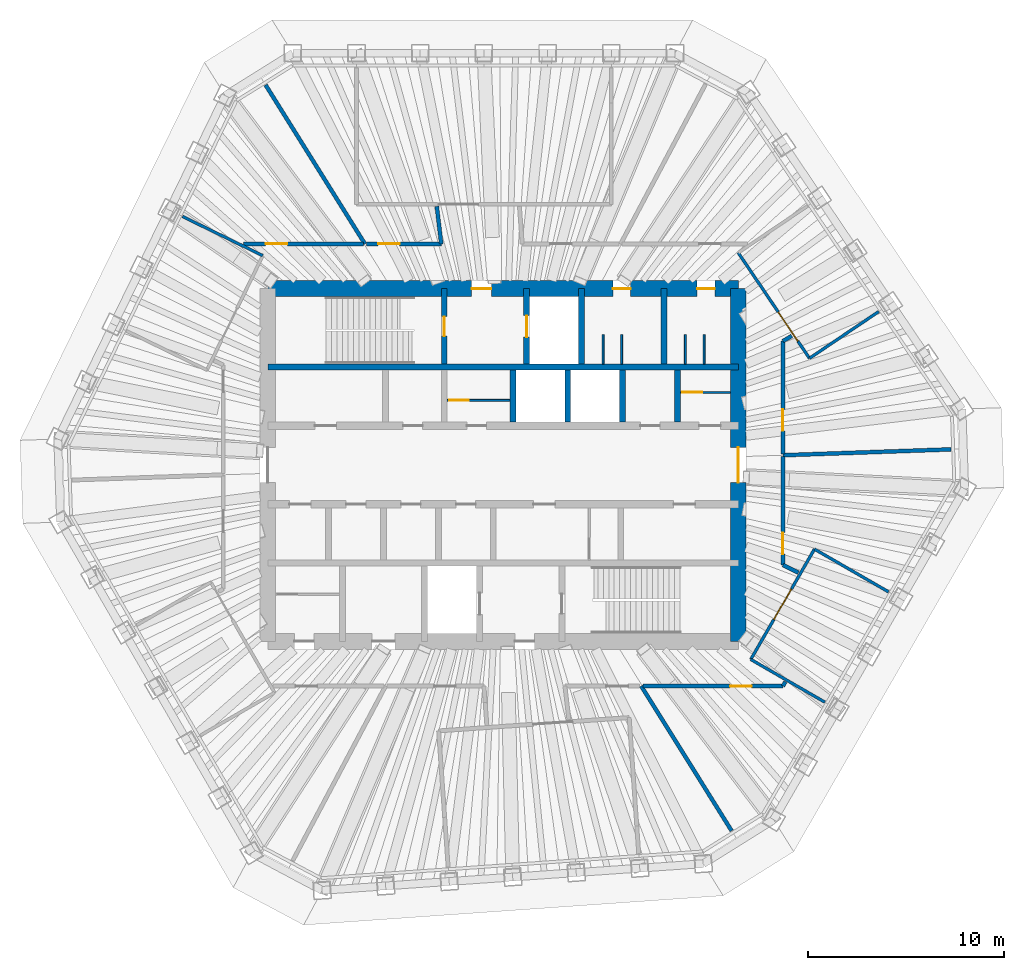
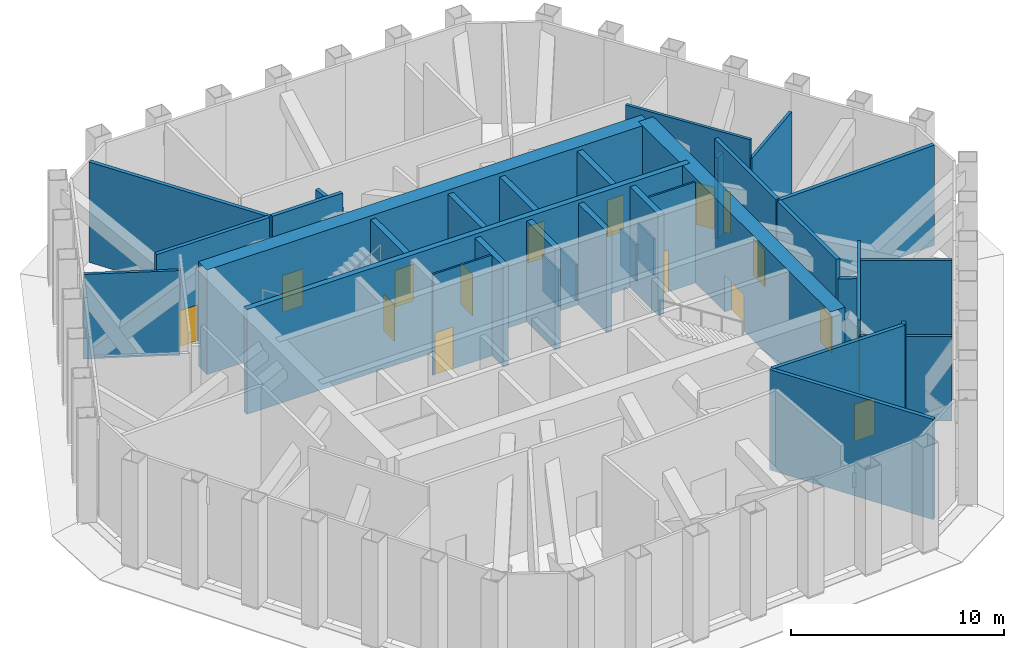
# One storey, part 7 of 10: 35 walls, 15 doors, 15 openings.
"""IFC4 building model written with IfcOpenShell, lengths in metres."""

import ifcopenshell
import ifcopenshell.guid

model = None  # the IFC model being written
_history = None  # IfcOwnerHistory: only IFC2X3 demands one
_inside = {}  # id of a spatial element -> (the spatial element, [elements in it])
_under = {}  # id of a project, library or spatial element -> (it, [spatial elements below it])
_declared = {}  # id of a project -> (the project, [libraries it declares])
_typed = {}  # id of a type object -> (the type object, [elements of that type])
_made_of = {}  # id of a material, layer set ... -> (it, [elements and type objects made of it])


def new_model(schema):
    """Start an empty IFC model of exactly this schema.

    Asked for "IFC4X3", IfcOpenShell would pick the latest addendum, in which some entities
    have other attributes; the version numbers below select the first issue.
    IFC2X3 requires an IfcOwnerHistory on every rooted entity: one is made here for all.
    """
    global model, _history
    if schema == "IFC4X3":
        model = ifcopenshell.file(schema_version=(4, 3, 0, 0))
    else:
        model = ifcopenshell.file(schema=schema)
    _inside.clear()
    _under.clear()
    _declared.clear()
    _typed.clear()
    _made_of.clear()
    _history = None
    if model.schema == "IFC2X3":
        org = make("IfcOrganization", Name="unknown")
        user = make(
            "IfcPersonAndOrganization",
            ThePerson=make("IfcPerson", FamilyName="unknown"),
            TheOrganization=org,
        )
        app = make(
            "IfcApplication",
            ApplicationDeveloper=org,
            Version="unknown",
            ApplicationFullName="unknown",
            ApplicationIdentifier="unknown",
        )
        _history = make(
            "IfcOwnerHistory",
            OwningUser=user,
            OwningApplication=app,
            ChangeAction="ADDED",
            CreationDate=0,
        )
    return model


def make(cls, **values):
    """One entity of the class cls with the attributes given. An attribute that is None is left unset."""
    return model.create_entity(
        cls, **{name: value for name, value in values.items() if value is not None}
    )


def rooted(cls, **values):
    """An entity with a GlobalId (a new one), such as an element, a storey or a relation."""
    return make(cls, GlobalId=ifcopenshell.guid.new(), OwnerHistory=_history, **values)


def si_unit(unit_type, name, prefix=None):
    """IfcSIUnit, for example si_unit("LENGTHUNIT", "METRE", prefix="MILLI")."""
    return make("IfcSIUnit", UnitType=unit_type, Prefix=prefix, Name=name)


def assignment(units):
    """IfcUnitAssignment: the units of a project."""
    return None if units is None else make("IfcUnitAssignment", Units=units)


def point(xyz):
    """IfcCartesianPoint."""
    return None if xyz is None else make("IfcCartesianPoint", Coordinates=xyz)


def direction(xyz):
    """IfcDirection."""
    return None if xyz is None else make("IfcDirection", DirectionRatios=xyz)


def frame(location, z_axis=None, x_axis=None):
    """IfcAxis2Placement3D, a coordinate frame: its origin and axes. An axis left out is left unset."""
    return make(
        "IfcAxis2Placement3D",
        Location=point(location),
        Axis=direction(z_axis),
        RefDirection=direction(x_axis),
    )


def frame_2d(location, x_axis=None):
    """IfcAxis2Placement2D, a coordinate frame in the plane: its origin and x axis."""
    return make(
        "IfcAxis2Placement2D", Location=point(location), RefDirection=direction(x_axis)
    )


def origin():
    """The frame at (0, 0, 0) with its axes left unset."""
    return frame((0.0, 0.0, 0.0))


def place(relative_to, where):
    """IfcLocalPlacement: puts the frame where relative to a parent placement (None: the world)."""
    return make(
        "IfcLocalPlacement", PlacementRelTo=relative_to, RelativePlacement=where
    )


def context(
    kind, dimensions, precision=None, world=None, true_north=None, identifier=None
):
    """IfcGeometricRepresentationContext, for example the 3D "Model" context."""
    return make(
        "IfcGeometricRepresentationContext",
        ContextIdentifier=identifier,
        ContextType=kind,
        CoordinateSpaceDimension=dimensions,
        Precision=precision,
        WorldCoordinateSystem=world,
        TrueNorth=true_north,
    )


def subcontext(parent, identifier, kind, view, scale=None):
    """IfcGeometricRepresentationSubContext, for example "Body" below "Model"."""
    return make(
        "IfcGeometricRepresentationSubContext",
        ContextIdentifier=identifier,
        ContextType=kind,
        ParentContext=parent,
        TargetScale=scale,
        TargetView=view,
    )


def project(units=None, contexts=None):
    """IfcProject with its units and contexts."""
    return rooted(
        "IfcProject",
        Name="project",
        RepresentationContexts=contexts,
        UnitsInContext=assignment(units),
    )


def spatial(cls, under=None, at=None, **own):
    """A site, building, storey or space (cls), placed at a placement, below another one or the project."""
    s = rooted(cls, ObjectPlacement=at, **own)
    if under is not None:
        _under.setdefault(under.id(), (under, []))[1].append(s)
    return s


def profile(cls, at=None, kind="AREA", **sizes):
    """A parametric profile (cls). Its sizes go by their IFC names, for example OverallWidth=200.0."""
    return make(cls, ProfileType=kind, Position=at, **sizes)


def rectangle(**sizes):
    """IfcRectangleProfileDef."""
    return profile("IfcRectangleProfileDef", **sizes)


def extrude(swept, where, along, depth):
    """IfcExtrudedAreaSolid: the profile swept, set in the frame where, extruded along a direction by depth."""
    return make(
        "IfcExtrudedAreaSolid",
        SweptArea=swept,
        Position=where,
        ExtrudedDirection=direction(along),
        Depth=depth,
    )


def shape(context_of_items, identifier, shape_type, items):
    """IfcShapeRepresentation: the items that make up one representation, for example the "Body"."""
    return make(
        "IfcShapeRepresentation",
        ContextOfItems=context_of_items,
        RepresentationIdentifier=identifier,
        RepresentationType=shape_type,
        Items=items,
    )


def material(Name=None, Category=None):
    """IfcMaterial."""
    return make("IfcMaterial", Name=Name, Category=Category)


def layer(
    of_material, thickness, ventilated=None, Name=None, Category=None, Priority=None
):
    """IfcMaterialLayer: one layer of a wall or slab, of a material (None: an air gap)."""
    return make(
        "IfcMaterialLayer",
        Material=of_material,
        LayerThickness=thickness,
        IsVentilated=ventilated,
        Name=Name,
        Category=Category,
        Priority=Priority,
    )


def layer_set(layers, Name=None):
    """IfcMaterialLayerSet."""
    return make("IfcMaterialLayerSet", MaterialLayers=layers, LayerSetName=Name)


def made_of(thing, what):
    """Note that an element or type object is made of a material, layer set ...; save() writes the relation."""
    if what is not None:
        _made_of.setdefault(what.id(), (what, []))[1].append(thing)
    return thing


def type_object(cls, material=None, **own):
    """A type object (cls), such as IfcWallType, which elements share."""
    return made_of(rooted(cls, **own), material)


def element(
    cls,
    number,
    at=None,
    inside=None,
    cuts=None,
    type_object=None,
    material=None,
    context=None,
    identifier="Body",
    shape_type=None,
    held_by="IfcProductDefinitionShape",
    body=None,
    shapes=None,
    **own,
):
    """One element of the class cls, such as IfcWall. Its Tag is "e" and its number.

    at: its placement. inside: the storey or other place that contains it. cuts: it is an
    opening in that element (IfcRelVoidsElement). A single representation is given by context,
    identifier, shape_type and body (its items); several are given by shapes. held_by: the class
    of the entity that holds the representations. save() writes the other relations.
    """
    e = rooted(cls, Tag="e%d" % number, ObjectPlacement=at, **own)
    if body is not None:
        shapes = [shape(context, identifier, shape_type, body)]
    if shapes is not None:
        e.Representation = make(held_by, Representations=shapes)
    if inside is not None:
        _inside.setdefault(inside.id(), (inside, []))[1].append(e)
    if cuts is not None:
        rooted(
            "IfcRelVoidsElement", RelatingBuildingElement=cuts, RelatedOpeningElement=e
        )
    if type_object is not None:
        _typed.setdefault(type_object.id(), (type_object, []))[1].append(e)
    return made_of(e, material)


def fill(opening, filler):
    """IfcRelFillsElement: the door or window that sits in an opening."""
    return rooted(
        "IfcRelFillsElement",
        RelatingOpeningElement=opening,
        RelatedBuildingElement=filler,
    )


def aggregate(whole, parts):
    """IfcRelAggregates: a whole, such as a stair, and the parts it consists of."""
    return rooted("IfcRelAggregates", RelatingObject=whole, RelatedObjects=parts)


def save(model, path):
    """Write the relations noted so far, then the file.

    IfcRelAggregates (storeys below a building ...), IfcRelContainedInSpatialStructure (elements
    in a storey), IfcRelDefinesByType, IfcRelAssociatesMaterial and IfcRelDeclares: one each for
    every whole, place, type object, material and project.
    """
    for whole, parts in _under.values():
        aggregate(whole, parts)
    for where, things in _inside.values():
        rooted(
            "IfcRelContainedInSpatialStructure",
            RelatedElements=things,
            RelatingStructure=where,
        )
    for kind, things in _typed.values():
        rooted("IfcRelDefinesByType", RelatedObjects=things, RelatingType=kind)
    for what, things in _made_of.values():
        rooted("IfcRelAssociatesMaterial", RelatedObjects=things, RelatingMaterial=what)
    for by, libraries in _declared.values():
        rooted("IfcRelDeclares", RelatingContext=by, RelatedDefinitions=libraries)
    model.write(path)


model = new_model("IFC4")

# Units and contexts
model_context = context("Model", 3, precision=1e-05, world=origin(), true_north=direction((0.0, 1.0)))
body_context = subcontext(model_context, "Body", "Model", "MODEL_VIEW")
ifc_project = project(units=[si_unit("LENGTHUNIT", "METRE"), si_unit("AREAUNIT", "SQUARE_METRE"), si_unit("VOLUMEUNIT", "CUBIC_METRE"), si_unit("PLANEANGLEUNIT", "RADIAN"), si_unit("MASSUNIT", "GRAM", prefix="KILO")], contexts=[model_context])

# Site, building, storey
site_placement = place(None, origin())
site = spatial("IfcSite", under=ifc_project, at=site_placement, CompositionType="ELEMENT")
building_placement = place(site_placement, origin())
building = spatial("IfcBuilding", under=site, at=building_placement, Name="Qingtian Harvest Tower", CompositionType="ELEMENT")
storey_placement = place(building_placement, frame((0.0, 0.0, 337.60009765625)))
storey = spatial("IfcBuildingStorey", under=building, at=storey_placement, Name="L75", CompositionType="ELEMENT", Elevation=337.60009765625)

# Wall
ifc_material_1 = material(Name="Concrete fc' 70 MPa", Category="concrete")
ifc_layer_1 = layer(ifc_material_1, 0.300048828125)
ifc_layer_set_1 = layer_set([ifc_layer_1], Name="Core inner wall RC5 300")
wall_type_1 = type_object("IfcWallType", Name="Core inner wall RC5 300", PredefinedType="SHEAR", material=ifc_layer_set_1)
wall_1_placement = place(storey_placement, frame((-12.0, 5.0, 0.0), z_axis=(0.0, 0.0, 1.0), x_axis=(1.0, 0.0, 0.0)))
element("IfcWall", 1, at=wall_1_placement, inside=storey, type_object=wall_type_1, Name="Core wall IN5 L75", PredefinedType="SHEAR", context=body_context, shape_type="SweptSolid", body=[
    extrude(rectangle(XDim=24.0, YDim=0.300048828125, at=frame_2d((12.0, 0.0))), origin(), (0.0, 0.0, 1.0), 6.0),
])

# Wall, opening, door
ifc_material_2 = material(Name="Precast concrete shaft panel", Category="concrete")
ifc_layer_2 = layer(ifc_material_2, 0.300048828125)
ifc_layer_set_2 = layer_set([ifc_layer_2], Name="Core shaft partition SW1 300")
wall_type_2 = type_object("IfcWallType", Name="Core shaft partition SW1 300", PredefinedType="PARTITIONING", material=ifc_layer_set_2)
wall_2_placement = place(storey_placement, frame((-3.0, 5.14990234375, 0.0), z_axis=(0.0, 0.0, 1.0), x_axis=(0.0, 1.0, 0.0)))
wall_2 = element("IfcWall", 2, at=wall_2_placement, inside=storey, type_object=wall_type_2, Name="Core shaft partition XN1 L75", PredefinedType="PARTITIONING", context=body_context, shape_type="SweptSolid", body=[
    extrude(rectangle(XDim=3.85009765625, YDim=0.300048828125, at=frame_2d((1.925048828125, 0.0))), origin(), (0.0, 0.0, 1.0), 5.77978515625),
])
opening_1_placement = place(wall_2_placement, frame((1.425048828125, 0.0, 0.0)))
opening_1 = element("IfcOpeningElement", 3, at=opening_1_placement, cuts=wall_2, Name="Opening FD1", PredefinedType="OPENING", context=body_context, shape_type="SweptSolid", body=[
    extrude(rectangle(XDim=1.0, YDim=2.10009765625, at=frame_2d((0.5, 1.050048828125))), frame((0.0, 0.159912109375, 0.0), z_axis=(0.0, -1.0, 0.0), x_axis=(1.0, 0.0, 0.0)), (0.0, 0.0, 1.0), 0.320068359375),
])
ifc_material_3 = material(Name="Steel-faced door leaf", Category="steel")
door_type_1 = type_object("IfcDoorType", Name="Fire door FD1 single 1 HR", OperationType="SINGLE_SWING_LEFT", PredefinedType="DOOR", material=ifc_material_3)
door_1_placement = place(opening_1_placement, origin())
door_1 = element("IfcDoor", 4, at=door_1_placement, inside=storey, type_object=door_type_1, Name="S1 door L75", OperationType="SINGLE_SWING_RIGHT", OverallHeight=2.10009765625, OverallWidth=1.0, PredefinedType="DOOR", context=body_context, shape_type="SweptSolid", body=[
    extrude(rectangle(XDim=1.0, YDim=2.10009765625, at=frame_2d((0.5, 1.050048828125))), frame((0.0, 0.02490234375, 0.0), z_axis=(0.0, -1.0, 0.0), x_axis=(1.0, 0.0, 0.0)), (0.0, 0.0, 1.0), 0.050048828125),
])
fill(opening_1, door_1)

wall_3_placement = place(storey_placement, frame((1.199951171875, 5.14990234375, 0.0), z_axis=(0.0, 0.0, 1.0), x_axis=(0.0, 1.0, 0.0)))
wall_3 = element("IfcWall", 5, at=wall_3_placement, inside=storey, type_object=wall_type_2, Name="Core shaft partition XN2 L75", PredefinedType="PARTITIONING", context=body_context, shape_type="SweptSolid", body=[
    extrude(rectangle(XDim=3.85009765625, YDim=0.300048828125, at=frame_2d((1.925048828125, 0.0))), origin(), (0.0, 0.0, 1.0), 5.77978515625),
])
opening_2_placement = place(wall_3_placement, frame((1.375, 0.0, 0.0)))
opening_2 = element("IfcOpeningElement", 6, at=opening_2_placement, cuts=wall_3, Name="Opening LD1", PredefinedType="OPENING", context=body_context, shape_type="SweptSolid", body=[
    extrude(rectangle(XDim=1.10009765625, YDim=2.39990234375, at=frame_2d((0.550048828125, 1.199951171875))), frame((0.0, 0.159912109375, 0.0), z_axis=(0.0, -1.0, 0.0), x_axis=(1.0, 0.0, 0.0)), (0.0, 0.0, 1.0), 0.320068359375),
])
ifc_material_4 = material(Name="Stainless steel lift landing door", Category="steel")
door_type_2 = type_object("IfcDoorType", Name="Lift landing door LD1 1 HR", OperationType="DOUBLE_DOOR_SLIDING", PredefinedType="DOOR", material=ifc_material_4)
door_2_placement = place(opening_2_placement, origin())
door_2 = element("IfcDoor", 7, at=door_2_placement, inside=storey, type_object=door_type_2, Name="FL1 landing door L75", OperationType="DOUBLE_DOOR_SLIDING", OverallHeight=2.39990234375, OverallWidth=1.10009765625, PredefinedType="DOOR", context=body_context, shape_type="SweptSolid", body=[
    extrude(rectangle(XDim=1.10009765625, YDim=2.39990234375, at=frame_2d((0.550048828125, 1.199951171875))), frame((0.0, 0.02490234375, 0.0), z_axis=(0.0, -1.0, 0.0), x_axis=(1.0, 0.0, 0.0)), (0.0, 0.0, 1.0), 0.050048828125),
])
fill(opening_2, door_2)

# Walls
for number, where, z_axis, x_axis, name in (
    (8, (4.0, 5.14990234375, 0.0), (0.0, 0.0, 1.0), (0.0, 1.0, 0.0), "Core shaft partition XN3 L75"),
    (9, (8.199951171875, 5.14990234375, 0.0), (0.0, 0.0, 1.0), (0.0, 1.0, 0.0), "Core shaft partition XN4 L75"),
):
    element("IfcWall", number, at=place(storey_placement, frame(where, z_axis=z_axis, x_axis=x_axis)), inside=storey, type_object=wall_type_2, Name=name, PredefinedType="PARTITIONING", context=body_context, shape_type="SweptSolid", body=[
        extrude(rectangle(XDim=3.85009765625, YDim=0.300048828125, at=frame_2d((1.925048828125, 0.0))), origin(), (0.0, 0.0, 1.0), 5.77978515625),
    ])
for number, where, z_axis, x_axis, name in (
    (10, (0.5, 2.199951171875, 0.0), (0.0, 0.0, 1.0), (0.0, 1.0, 0.0), "Core shaft partition XA3 L75"),
    (11, (3.300048828125, 2.199951171875, 0.0), (0.0, 0.0, 1.0), (0.0, 1.0, 0.0), "Core shaft partition XA4 L75"),
    (12, (6.10009765625, 2.199951171875, 0.0), (0.0, 0.0, 1.0), (0.0, 1.0, 0.0), "Core shaft partition XA5 L75"),
    (13, (8.89990234375, 2.199951171875, 0.0), (0.0, 0.0, 1.0), (0.0, 1.0, 0.0), "Core shaft partition XA6 L75"),
):
    element("IfcWall", number, at=place(storey_placement, frame(where, z_axis=z_axis, x_axis=x_axis)), inside=storey, type_object=wall_type_2, Name=name, PredefinedType="PARTITIONING", context=body_context, shape_type="SweptSolid", body=[
        extrude(rectangle(XDim=2.650146484375, YDim=0.300048828125, at=frame_2d((1.3251953125, 0.0))), origin(), (0.0, 0.0, 1.0), 5.77978515625),
    ])

# Wall, openings, doors
ifc_material_5 = material(Name="Concrete fc' 70 MPa", Category="concrete")
ifc_layer_3 = layer(ifc_material_5, 0.800048828125)
ifc_layer_set_3 = layer_set([ifc_layer_3], Name="Core wall RC4 800")
wall_type_3 = type_object("IfcWallType", Name="Core wall RC4 800", PredefinedType="SHEAR", material=ifc_layer_set_3)
wall_4_placement = place(storey_placement, frame((-12.0, 9.0, 0.0), z_axis=(0.0, 0.0, 1.0), x_axis=(1.0, 0.0, 0.0)))
wall_4 = element("IfcWall", 14, at=wall_4_placement, inside=storey, type_object=wall_type_3, Name="Core wall CN L75", PredefinedType="SHEAR", context=body_context, shape_type="SweptSolid", body=[
    extrude(rectangle(XDim=24.0, YDim=0.800048828125, at=frame_2d((12.0, 0.0))), origin(), (0.0, 0.0, 1.0), 6.0),
])
opening_3_placement = place(wall_4_placement, frame((10.39990234375, 0.0, 0.0)))
opening_3 = element("IfcOpeningElement", 15, at=opening_3_placement, cuts=wall_4, Name="Opening FD1", PredefinedType="OPENING", context=body_context, shape_type="SweptSolid", body=[
    extrude(rectangle(XDim=1.0, YDim=2.10009765625, at=frame_2d((0.5, 1.050048828125))), frame((0.0, 0.409912109375, 0.0), z_axis=(0.0, -1.0, 0.0), x_axis=(1.0, 0.0, 0.0)), (0.0, 0.0, 1.0), 0.820068359375),
])
opening_4_placement = place(wall_4_placement, frame((17.60009765625, 0.0, 0.0)))
opening_4 = element("IfcOpeningElement", 16, at=opening_4_placement, cuts=wall_4, Name="Opening D1", PredefinedType="OPENING", context=body_context, shape_type="SweptSolid", body=[
    extrude(rectangle(XDim=0.89990234375, YDim=2.10009765625, at=frame_2d((0.449951171875, 1.050048828125))), frame((0.0, 0.409912109375, 0.0), z_axis=(0.0, -1.0, 0.0), x_axis=(1.0, 0.0, 0.0)), (0.0, 0.0, 1.0), 0.820068359375),
])
opening_5_placement = place(wall_4_placement, frame((21.89990234375, 0.0, 0.0)))
opening_5 = element("IfcOpeningElement", 17, at=opening_5_placement, cuts=wall_4, Name="Opening D1", PredefinedType="OPENING", context=body_context, shape_type="SweptSolid", body=[
    extrude(rectangle(XDim=0.89990234375, YDim=2.10009765625, at=frame_2d((0.449951171875, 1.050048828125))), frame((0.0, 0.409912109375, 0.0), z_axis=(0.0, -1.0, 0.0), x_axis=(1.0, 0.0, 0.0)), (0.0, 0.0, 1.0), 0.820068359375),
])
door_3_placement = place(opening_3_placement, origin())
door_3 = element("IfcDoor", 18, at=door_3_placement, inside=storey, type_object=door_type_1, Name="V1 door L75", OperationType="SINGLE_SWING_RIGHT", OverallHeight=2.10009765625, OverallWidth=1.0, PredefinedType="DOOR", context=body_context, shape_type="SweptSolid", body=[
    extrude(rectangle(XDim=1.0, YDim=2.10009765625, at=frame_2d((0.5, 1.050048828125))), frame((0.0, 0.02490234375, 0.0), z_axis=(0.0, -1.0, 0.0), x_axis=(1.0, 0.0, 0.0)), (0.0, 0.0, 1.0), 0.050048828125),
])
fill(opening_3, door_3)
ifc_material_6 = material(Name="Laminated timber door leaf", Category="wood")
door_type_3 = type_object("IfcDoorType", Name="Toilet door D1 single", OperationType="SINGLE_SWING_LEFT", PredefinedType="DOOR", material=ifc_material_6)
door_4_placement = place(opening_4_placement, origin())
door_4 = element("IfcDoor", 19, at=door_4_placement, inside=storey, type_object=door_type_3, Name="WCM door L75", OperationType="SINGLE_SWING_LEFT", OverallHeight=2.10009765625, OverallWidth=0.89990234375, PredefinedType="DOOR", context=body_context, shape_type="SweptSolid", body=[
    extrude(rectangle(XDim=0.89990234375, YDim=2.10009765625, at=frame_2d((0.449951171875, 1.050048828125))), frame((0.0, 0.02490234375, 0.0), z_axis=(0.0, -1.0, 0.0), x_axis=(1.0, 0.0, 0.0)), (0.0, 0.0, 1.0), 0.050048828125),
])
fill(opening_4, door_4)
door_5_placement = place(opening_5_placement, origin())
door_5 = element("IfcDoor", 20, at=door_5_placement, inside=storey, type_object=door_type_3, Name="WCF door L75", OperationType="SINGLE_SWING_LEFT", OverallHeight=2.10009765625, OverallWidth=0.89990234375, PredefinedType="DOOR", context=body_context, shape_type="SweptSolid", body=[
    extrude(rectangle(XDim=0.89990234375, YDim=2.10009765625, at=frame_2d((0.449951171875, 1.050048828125))), frame((0.0, 0.02490234375, 0.0), z_axis=(0.0, -1.0, 0.0), x_axis=(1.0, 0.0, 0.0)), (0.0, 0.0, 1.0), 0.050048828125),
])
fill(opening_5, door_5)

# Wall, opening, door
wall_5_placement = place(storey_placement, frame((12.0, -9.0, 0.0), z_axis=(0.0, 0.0, 1.0), x_axis=(0.0, 1.0, 0.0)))
wall_5 = element("IfcWall", 21, at=wall_5_placement, inside=storey, type_object=wall_type_3, Name="Core wall CE L75", PredefinedType="SHEAR", context=body_context, shape_type="SweptSolid", body=[
    extrude(rectangle(XDim=18.0, YDim=0.800048828125, at=frame_2d((9.0, 0.0))), origin(), (0.0, 0.0, 1.0), 6.0),
])
opening_6_placement = place(wall_5_placement, frame((8.10009765625, 0.0, 0.0)))
opening_6 = element("IfcOpeningElement", 22, at=opening_6_placement, cuts=wall_5, Name="Opening FD2", PredefinedType="OPENING", context=body_context, shape_type="SweptSolid", body=[
    extrude(rectangle(XDim=1.800048828125, YDim=2.10009765625, at=frame_2d((0.89990234375, 1.050048828125))), frame((0.0, 0.409912109375, 0.0), z_axis=(0.0, -1.0, 0.0), x_axis=(1.0, 0.0, 0.0)), (0.0, 0.0, 1.0), 0.820068359375),
])
ifc_material_7 = material(Name="Steel-faced door leaf", Category="steel")
door_type_4 = type_object("IfcDoorType", Name="Fire door FD2 double 1 HR", OperationType="DOUBLE_DOOR_DOUBLE_SWING", PredefinedType="DOOR", material=ifc_material_7)
door_6_placement = place(opening_6_placement, origin())
door_6 = element("IfcDoor", 23, at=door_6_placement, inside=storey, type_object=door_type_4, Name="LOBBY-E door L75", OperationType="DOUBLE_DOOR_DOUBLE_SWING", OverallHeight=2.10009765625, OverallWidth=1.800048828125, PredefinedType="DOOR", context=body_context, shape_type="SweptSolid", body=[
    extrude(rectangle(XDim=1.800048828125, YDim=2.10009765625, at=frame_2d((0.89990234375, 1.050048828125))), frame((0.0, 0.02490234375, 0.0), z_axis=(0.0, -1.0, 0.0), x_axis=(1.0, 0.0, 0.0)), (0.0, 0.0, 1.0), 0.050048828125),
])
fill(opening_6, door_6)

ifc_material_8 = material(Name="Blockwork fire wall", Category="masonry")
ifc_layer_4 = layer(ifc_material_8, 0.199951171875)
ifc_layer_set_4 = layer_set([ifc_layer_4], Name="Fire partition FW1 200")
wall_type_4 = type_object("IfcWallType", Name="Fire partition FW1 200", PredefinedType="PARTITIONING", material=ifc_layer_set_4)
wall_6_placement = place(storey_placement, frame((14.27490234375, -11.27490234375, 0.0), z_axis=(0.0, 0.0, 1.0), x_axis=(-1.0, 0.0, 0.0)))
wall_6 = element("IfcWall", 24, at=wall_6_placement, inside=storey, type_object=wall_type_4, Name="Spares store wall L75", PredefinedType="PARTITIONING", context=body_context, shape_type="SweptSolid", body=[
    extrude(rectangle(XDim=7.146484375, YDim=0.199951171875, at=frame_2d((3.5732421875, 0.0))), origin(), (0.0, 0.0, 1.0), 5.75),
])
opening_7_placement = place(wall_6_placement, frame((1.593994140625, 0.0, 0.0)))
opening_7 = element("IfcOpeningElement", 25, at=opening_7_placement, cuts=wall_6, Name="Opening FD4", PredefinedType="OPENING", context=body_context, shape_type="SweptSolid", body=[
    extrude(rectangle(XDim=1.10009765625, YDim=2.10009765625, at=frame_2d((0.550048828125, 1.050048828125))), frame((0.0, 0.10986328125, 0.0), z_axis=(0.0, -1.0, 0.0), x_axis=(1.0, 0.0, 0.0)), (0.0, 0.0, 1.0), 0.219970703125),
])
ifc_material_9 = material(Name="Steel-faced door leaf", Category="steel")
door_type_5 = type_object("IfcDoorType", Name="Fire door FD4 single 2 HR", OperationType="SINGLE_SWING_LEFT", PredefinedType="DOOR", material=ifc_material_9)
door_7_placement = place(opening_7_placement, origin())
door_7 = element("IfcDoor", 26, at=door_7_placement, inside=storey, type_object=door_type_5, Name="Spares store door L75", OperationType="SINGLE_SWING_LEFT", OverallHeight=2.10009765625, OverallWidth=1.10009765625, PredefinedType="DOOR", context=body_context, shape_type="SweptSolid", body=[
    extrude(rectangle(XDim=1.10009765625, YDim=2.10009765625, at=frame_2d((0.550048828125, 1.050048828125))), frame((0.0, 0.02490234375, 0.0), z_axis=(0.0, -1.0, 0.0), x_axis=(1.0, 0.0, 0.0)), (0.0, 0.0, 1.0), 0.050048828125),
])
fill(opening_7, door_7)

# Wall
wall_7_placement = place(storey_placement, frame((14.27490234375, -11.27490234375, 0.0), z_axis=(0.0, 0.0, 1.0), x_axis=(0.500616342655, 0.865669265636, 0.0)))
element("IfcWall", 27, at=wall_7_placement, inside=storey, type_object=wall_type_4, Name="Spares store wall L75", PredefinedType="PARTITIONING", context=body_context, shape_type="SweptSolid", body=[
    extrude(rectangle(XDim=0.252197265625, YDim=0.199951171875, at=frame_2d((0.1259765625, 0.0))), origin(), (0.0, 0.0, 1.0), 5.75),
])

# Wall, opening, door
wall_8_placement = place(storey_placement, frame((14.27490234375, 0.432373046875, 0.0), z_axis=(0.0, 0.0, 1.0), x_axis=(0.0, -1.0, 0.0)))
wall_8 = element("IfcWall", 28, at=wall_8_placement, inside=storey, type_object=wall_type_4, Name="Valve room wall L75", PredefinedType="PARTITIONING", context=body_context, shape_type="SweptSolid", body=[
    extrude(rectangle(XDim=5.5322265625, YDim=0.199951171875, at=frame_2d((2.76611328125, 0.0))), origin(), (0.0, 0.0, 1.0), 5.75),
])
opening_8_placement = place(wall_8_placement, frame((3.875732421875, 0.0, 0.0)))
opening_8 = element("IfcOpeningElement", 29, at=opening_8_placement, cuts=wall_8, Name="Opening FD4", PredefinedType="OPENING", context=body_context, shape_type="SweptSolid", body=[
    extrude(rectangle(XDim=1.10009765625, YDim=2.10009765625, at=frame_2d((0.550048828125, 1.050048828125))), frame((0.0, 0.10986328125, 0.0), z_axis=(0.0, -1.0, 0.0), x_axis=(1.0, 0.0, 0.0)), (0.0, 0.0, 1.0), 0.219970703125),
])
door_8_placement = place(opening_8_placement, origin())
door_8 = element("IfcDoor", 30, at=door_8_placement, inside=storey, type_object=door_type_5, Name="Valve room door L75", OperationType="SINGLE_SWING_RIGHT", OverallHeight=2.10009765625, OverallWidth=1.10009765625, PredefinedType="DOOR", context=body_context, shape_type="SweptSolid", body=[
    extrude(rectangle(XDim=1.10009765625, YDim=2.10009765625, at=frame_2d((0.550048828125, 1.050048828125))), frame((0.0, 0.02490234375, 0.0), z_axis=(0.0, -1.0, 0.0), x_axis=(1.0, 0.0, 0.0)), (0.0, 0.0, 1.0), 0.050048828125),
])
fill(opening_8, door_8)

# Wall
wall_9_placement = place(storey_placement, frame((14.27490234375, -5.099853515625, 0.0), z_axis=(0.0, 0.0, 1.0), x_axis=(0.895092932875, -0.445879626712, 0.0)))
element("IfcWall", 31, at=wall_9_placement, inside=storey, type_object=wall_type_4, Name="Valve room wall L75", PredefinedType="PARTITIONING", context=body_context, shape_type="SweptSolid", body=[
    extrude(rectangle(XDim=0.87890625, YDim=0.199951171875, at=frame_2d((0.439453125, 0.0))), origin(), (0.0, 0.0, 1.0), 4.64990234375),
])

# Wall, opening, door
wall_10_placement = place(storey_placement, frame((14.27490234375, 6.320068359375, 0.0), z_axis=(0.0, 0.0, 1.0), x_axis=(0.0, -1.0, 0.0)))
wall_10 = element("IfcWall", 32, at=wall_10_placement, inside=storey, type_object=wall_type_4, Name="Pump plant room wall L75", PredefinedType="PARTITIONING", context=body_context, shape_type="SweptSolid", body=[
    extrude(rectangle(XDim=5.7548828125, YDim=0.199951171875, at=frame_2d((2.87744140625, 0.0))), origin(), (0.0, 0.0, 1.0), 5.75),
])
opening_9_placement = place(wall_10_placement, frame((3.478515625, 0.0, 0.0)))
opening_9 = element("IfcOpeningElement", 33, at=opening_9_placement, cuts=wall_10, Name="Opening FD4", PredefinedType="OPENING", context=body_context, shape_type="SweptSolid", body=[
    extrude(rectangle(XDim=1.10009765625, YDim=2.10009765625, at=frame_2d((0.550048828125, 1.050048828125))), frame((0.0, 0.10986328125, 0.0), z_axis=(0.0, -1.0, 0.0), x_axis=(1.0, 0.0, 0.0)), (0.0, 0.0, 1.0), 0.219970703125),
])
door_9_placement = place(opening_9_placement, origin())
door_9 = element("IfcDoor", 34, at=door_9_placement, inside=storey, type_object=door_type_5, Name="Pump plant room door L75", OperationType="SINGLE_SWING_RIGHT", OverallHeight=2.10009765625, OverallWidth=1.10009765625, PredefinedType="DOOR", context=body_context, shape_type="SweptSolid", body=[
    extrude(rectangle(XDim=1.10009765625, YDim=2.10009765625, at=frame_2d((0.550048828125, 1.050048828125))), frame((0.0, 0.02490234375, 0.0), z_axis=(0.0, -1.0, 0.0), x_axis=(1.0, 0.0, 0.0)), (0.0, 0.0, 1.0), 0.050048828125),
])
fill(opening_9, door_9)

# Wall
wall_11_placement = place(storey_placement, frame((14.72509765625, 6.585205078125, 0.0), z_axis=(0.0, 0.0, 1.0), x_axis=(-0.86166982492, -0.507469322051, 0.0)))
element("IfcWall", 35, at=wall_11_placement, inside=storey, type_object=wall_type_4, Name="Pump plant room wall L75", PredefinedType="PARTITIONING", context=body_context, shape_type="SweptSolid", body=[
    extrude(rectangle(XDim=0.5224609375, YDim=0.199951171875, at=frame_2d((0.26123046875, 0.0))), origin(), (0.0, 0.0, 1.0), 4.64990234375),
])

# Wall, opening, door
wall_12_placement = place(storey_placement, frame((-6.96875, 11.27490234375, 0.0), z_axis=(0.0, 0.0, 1.0), x_axis=(1.0, 0.0, 0.0)))
wall_12 = element("IfcWall", 36, at=wall_12_placement, inside=storey, type_object=wall_type_4, Name="Heat exchanger plant room wall L75", PredefinedType="PARTITIONING", context=body_context, shape_type="SweptSolid", body=[
    extrude(rectangle(XDim=3.815673828125, YDim=0.199951171875, at=frame_2d((1.90771484375, 0.0))), origin(), (0.0, 0.0, 1.0), 5.75),
])
opening_10_placement = place(wall_12_placement, frame((0.5947265625, 0.0, 0.0)))
opening_10 = element("IfcOpeningElement", 37, at=opening_10_placement, cuts=wall_12, Name="Opening FD4", PredefinedType="OPENING", context=body_context, shape_type="SweptSolid", body=[
    extrude(rectangle(XDim=1.10009765625, YDim=2.10009765625, at=frame_2d((0.550048828125, 1.050048828125))), frame((0.0, 0.10986328125, 0.0), z_axis=(0.0, -1.0, 0.0), x_axis=(1.0, 0.0, 0.0)), (0.0, 0.0, 1.0), 0.219970703125),
])
door_10_placement = place(opening_10_placement, origin())
door_10 = element("IfcDoor", 38, at=door_10_placement, inside=storey, type_object=door_type_5, Name="Heat exchanger plant room door L75", OperationType="SINGLE_SWING_LEFT", OverallHeight=2.10009765625, OverallWidth=1.10009765625, PredefinedType="DOOR", context=body_context, shape_type="SweptSolid", body=[
    extrude(rectangle(XDim=1.10009765625, YDim=2.10009765625, at=frame_2d((0.550048828125, 1.050048828125))), frame((0.0, 0.02490234375, 0.0), z_axis=(0.0, -1.0, 0.0), x_axis=(1.0, 0.0, 0.0)), (0.0, 0.0, 1.0), 0.050048828125),
])
fill(opening_10, door_10)

# Wall
wall_13_placement = place(storey_placement, frame((-3.153076171875, 11.27490234375, 0.0), z_axis=(0.0, 0.0, 1.0), x_axis=(-0.118049862702, 0.993007668609, 0.0)))
element("IfcWall", 39, at=wall_13_placement, inside=storey, type_object=wall_type_4, Name="Heat exchanger plant room wall L75", PredefinedType="PARTITIONING", context=body_context, shape_type="SweptSolid", body=[
    extrude(rectangle(XDim=1.93359375, YDim=0.199951171875, at=frame_2d((0.966796875, 0.0))), origin(), (0.0, 0.0, 1.0), 4.849853515625),
])

# Wall, opening, door
wall_14_placement = place(storey_placement, frame((-13.237060546875, 11.27490234375, 0.0), z_axis=(0.0, 0.0, 1.0), x_axis=(1.0, 0.0, 0.0)))
wall_14 = element("IfcWall", 40, at=wall_14_placement, inside=storey, type_object=wall_type_4, Name="Spares store wall L75", PredefinedType="PARTITIONING", context=body_context, shape_type="SweptSolid", body=[
    extrude(rectangle(XDim=6.108642578125, YDim=0.199951171875, at=frame_2d((3.05419921875, 0.0))), origin(), (0.0, 0.0, 1.0), 5.75),
])
opening_11_placement = place(wall_14_placement, frame((1.1298828125, 0.0, 0.0)))
opening_11 = element("IfcOpeningElement", 41, at=opening_11_placement, cuts=wall_14, Name="Opening FD4", PredefinedType="OPENING", context=body_context, shape_type="SweptSolid", body=[
    extrude(rectangle(XDim=1.10009765625, YDim=2.10009765625, at=frame_2d((0.550048828125, 1.050048828125))), frame((0.0, 0.10986328125, 0.0), z_axis=(0.0, -1.0, 0.0), x_axis=(1.0, 0.0, 0.0)), (0.0, 0.0, 1.0), 0.219970703125),
])
door_11_placement = place(opening_11_placement, origin())
door_11 = element("IfcDoor", 42, at=door_11_placement, inside=storey, type_object=door_type_5, Name="Spares store door L75", OperationType="SINGLE_SWING_LEFT", OverallHeight=2.10009765625, OverallWidth=1.10009765625, PredefinedType="DOOR", context=body_context, shape_type="SweptSolid", body=[
    extrude(rectangle(XDim=1.10009765625, YDim=2.10009765625, at=frame_2d((0.550048828125, 1.050048828125))), frame((0.0, 0.02490234375, 0.0), z_axis=(0.0, -1.0, 0.0), x_axis=(1.0, 0.0, 0.0)), (0.0, 0.0, 1.0), 0.050048828125),
])
fill(opening_11, door_11)

# Walls
wall_15_placement = place(storey_placement, frame((14.27490234375, 0.49853515625, 0.0), z_axis=(0.0, 0.0, 1.0), x_axis=(0.999391402264, 0.034883019939, 0.0)))
element("IfcWall", 43, at=wall_15_placement, inside=storey, type_object=wall_type_4, Name="Plant room wall L75", PredefinedType="PARTITIONING", context=body_context, shape_type="SweptSolid", body=[
    extrude(rectangle(XDim=8.573486328125, YDim=0.199951171875, at=frame_2d((4.28662109375, 0.0))), origin(), (0.0, 0.0, 1.0), 5.75),
])
wall_16_placement = place(storey_placement, frame((7.04541015625, -11.27490234375, 0.0), z_axis=(0.0, 0.0, 1.0), x_axis=(0.529913212647, -0.848051877577, 0.0)))
element("IfcWall", 44, at=wall_16_placement, inside=storey, type_object=wall_type_4, Name="Plant room wall L75", PredefinedType="PARTITIONING", context=body_context, shape_type="SweptSolid", body=[
    extrude(rectangle(XDim=8.703857421875, YDim=0.199951171875, at=frame_2d((4.35205078125, 0.0))), origin(), (0.0, 0.0, 1.0), 5.75),
])
wall_17_placement = place(storey_placement, frame((-7.04541015625, 11.27490234375, 0.0), z_axis=(0.0, 0.0, 1.0), x_axis=(-0.529918611936, 0.848048503756, 0.0)))
element("IfcWall", 45, at=wall_17_placement, inside=storey, type_object=wall_type_4, Name="Plant room wall L75", PredefinedType="PARTITIONING", context=body_context, shape_type="SweptSolid", body=[
    extrude(rectangle(XDim=9.56201171875, YDim=0.199951171875, at=frame_2d((4.781005859375, 0.0))), origin(), (0.0, 0.0, 1.0), 5.75),
])
ifc_material_10 = material(Name="Gypsum board on steel studs", Category="steel")
ifc_layer_5 = layer(ifc_material_10, 0.14990234375)
ifc_layer_set_5 = layer_set([ifc_layer_5], Name="Partition PT1 150")
wall_type_5 = type_object("IfcWallType", Name="Partition PT1 150", PredefinedType="PARTITIONING", material=ifc_layer_set_5)
wall_18_placement = place(storey_placement, frame((19.15966796875, 7.82568359375, 0.0), z_axis=(0.0, 0.0, 1.0), x_axis=(-0.829022699791, -0.559214952617, 0.0)))
element("IfcWall", 46, at=wall_18_placement, inside=storey, type_object=wall_type_5, Name="Chiller plant room wall L75", PredefinedType="PARTITIONING", context=body_context, shape_type="SweptSolid", body=[
    extrude(rectangle(XDim=4.260009765625, YDim=0.14990234375, at=frame_2d((2.1298828125, 0.0))), origin(), (0.0, 0.0, 1.0), 4.64990234375),
])

# Wall, opening, door
wall_19_placement = place(storey_placement, frame((11.995361328125, 10.828857421875, 0.0), z_axis=(0.0, 0.0, 1.0), x_axis=(0.559193332958, -0.829037282862, 0.0)))
wall_19 = element("IfcWall", 47, at=wall_19_placement, inside=storey, type_object=wall_type_5, Name="Chiller plant room wall L75", PredefinedType="PARTITIONING", context=body_context, shape_type="SweptSolid", body=[
    extrude(rectangle(XDim=6.49609375, YDim=0.14990234375, at=frame_2d((3.248046875, 0.0))), origin(), (0.0, 0.0, 1.0), 5.75),
])
opening_12_placement = place(wall_19_placement, frame((3.647216796875, 0.0, 0.0)))
opening_12 = element("IfcOpeningElement", 48, at=opening_12_placement, cuts=wall_19, Name="Opening D3", PredefinedType="OPENING", context=body_context, shape_type="SweptSolid", body=[
    extrude(rectangle(XDim=1.800048828125, YDim=2.39990234375, at=frame_2d((0.89990234375, 1.199951171875))), frame((0.0, 0.0849609375, 0.0), z_axis=(0.0, -1.0, 0.0), x_axis=(1.0, 0.0, 0.0)), (0.0, 0.0, 1.0), 0.169921875),
])
ifc_material_11 = material(Name="Laminated timber door leaf", Category="wood")
door_type_6 = type_object("IfcDoorType", Name="Room door D3 double", OperationType="DOUBLE_DOOR_DOUBLE_SWING", PredefinedType="DOOR", material=ifc_material_11)
door_12_placement = place(opening_12_placement, origin())
door_12 = element("IfcDoor", 49, at=door_12_placement, inside=storey, type_object=door_type_6, Name="Chiller plant room door L75", OperationType="DOUBLE_DOOR_DOUBLE_SWING", OverallHeight=2.39990234375, OverallWidth=1.800048828125, PredefinedType="DOOR", context=body_context, shape_type="SweptSolid", body=[
    extrude(rectangle(XDim=1.800048828125, YDim=2.39990234375, at=frame_2d((0.89990234375, 1.199951171875))), frame((0.0, 0.02490234375, 0.0), z_axis=(0.0, -1.0, 0.0), x_axis=(1.0, 0.0, 0.0)), (0.0, 0.0, 1.0), 0.050048828125),
])
fill(opening_12, door_12)

# Walls
wall_20_placement = place(storey_placement, frame((19.65869140625, -6.469970703125, 0.0), z_axis=(0.0, 0.0, 1.0), x_axis=(-0.866032659912, 0.499987431809, 0.0)))
element("IfcWall", 50, at=wall_20_placement, inside=storey, type_object=wall_type_5, Name="Booster pump plant room wall L75", PredefinedType="PARTITIONING", context=body_context, shape_type="SweptSolid", body=[
    extrude(rectangle(XDim=4.35986328125, YDim=0.14990234375, at=frame_2d((2.179931640625, 0.0))), origin(), (0.0, 0.0, 1.0), 4.64990234375),
])
wall_21_placement = place(storey_placement, frame((16.41064453125, -12.095703125, 0.0), z_axis=(0.0, 0.0, 1.0), x_axis=(-0.866032659912, 0.499987431809, 0.0)))
element("IfcWall", 51, at=wall_21_placement, inside=storey, type_object=wall_type_5, Name="Booster pump plant room wall L75", PredefinedType="PARTITIONING", context=body_context, shape_type="SweptSolid", body=[
    extrude(rectangle(XDim=4.35986328125, YDim=0.14990234375, at=frame_2d((2.179931640625, 0.0))), origin(), (0.0, 0.0, 1.0), 4.849853515625),
])

# Wall, opening, door
wall_22_placement = place(storey_placement, frame((15.8828125, -4.2900390625, 0.0), z_axis=(0.0, 0.0, 1.0), x_axis=(-0.500003318956, -0.866023487576, 0.0)))
wall_22 = element("IfcWall", 52, at=wall_22_placement, inside=storey, type_object=wall_type_5, Name="Booster pump plant room wall L75", PredefinedType="PARTITIONING", context=body_context, shape_type="SweptSolid", body=[
    extrude(rectangle(XDim=6.49609375, YDim=0.14990234375, at=frame_2d((3.248046875, 0.0))), origin(), (0.0, 0.0, 1.0), 5.75),
])
opening_13_placement = place(wall_22_placement, frame((2.34814453125, 0.0, 0.0)))
opening_13 = element("IfcOpeningElement", 53, at=opening_13_placement, cuts=wall_22, Name="Opening D3", PredefinedType="OPENING", context=body_context, shape_type="SweptSolid", body=[
    extrude(rectangle(XDim=1.800048828125, YDim=2.39990234375, at=frame_2d((0.89990234375, 1.199951171875))), frame((0.0, 0.0849609375, 0.0), z_axis=(0.0, -1.0, 0.0), x_axis=(1.0, 0.0, 0.0)), (0.0, 0.0, 1.0), 0.169921875),
])
door_13_placement = place(opening_13_placement, origin())
door_13 = element("IfcDoor", 54, at=door_13_placement, inside=storey, type_object=door_type_6, Name="Booster pump plant room door L75", OperationType="DOUBLE_DOOR_DOUBLE_SWING", OverallHeight=2.39990234375, OverallWidth=1.800048828125, PredefinedType="DOOR", context=body_context, shape_type="SweptSolid", body=[
    extrude(rectangle(XDim=1.800048828125, YDim=2.39990234375, at=frame_2d((0.89990234375, 1.199951171875))), frame((0.0, 0.02490234375, 0.0), z_axis=(0.0, -1.0, 0.0), x_axis=(1.0, 0.0, 0.0)), (0.0, 0.0, 1.0), 0.050048828125),
])
fill(opening_13, door_13)

# Wall
wall_23_placement = place(storey_placement, frame((-16.35693359375, 12.679931640625, 0.0), z_axis=(0.0, 0.0, 1.0), x_axis=(0.898795200085, -0.438368781171, 0.0)))
element("IfcWall", 55, at=wall_23_placement, inside=storey, type_object=wall_type_5, Name="Cooling tower plant room wall L75", PredefinedType="PARTITIONING", context=body_context, shape_type="SweptSolid", body=[
    extrude(rectangle(XDim=4.56005859375, YDim=0.14990234375, at=frame_2d((2.280029296875, 0.0))), origin(), (0.0, 0.0, 1.0), 4.849853515625),
])

# Wall, opening, door
ifc_material_12 = material(Name="Concrete block partition", Category="concrete")
ifc_layer_6 = layer(ifc_material_12, 0.10009765625)
ifc_layer_set_6 = layer_set([ifc_layer_6], Name="Store partition PT3 100")
wall_type_6 = type_object("IfcWallType", Name="Store partition PT3 100", PredefinedType="PARTITIONING", material=ifc_layer_set_6)
wall_24_placement = place(storey_placement, frame((-2.85009765625, 3.300048828125, 0.0), z_axis=(0.0, 0.0, 1.0), x_axis=(1.0, 0.0, 0.0)))
wall_24 = element("IfcWall", 56, at=wall_24_placement, inside=storey, type_object=wall_type_6, Name="Filter store wall L75", PredefinedType="PARTITIONING", context=body_context, shape_type="SweptSolid", body=[
    extrude(rectangle(XDim=3.2001953125, YDim=0.10009765625, at=frame_2d((1.60009765625, 0.0))), origin(), (0.0, 0.0, 1.0), 5.77978515625),
])
opening_14_placement = place(wall_24_placement, frame((0.10009765625, 0.0, 0.0)))
opening_14 = element("IfcOpeningElement", 57, at=opening_14_placement, cuts=wall_24, Name="Opening D2", PredefinedType="OPENING", context=body_context, shape_type="SweptSolid", body=[
    extrude(rectangle(XDim=1.0, YDim=2.39990234375, at=frame_2d((0.5, 1.199951171875))), frame((0.0, 0.06005859375, 0.0), z_axis=(0.0, -1.0, 0.0), x_axis=(1.0, 0.0, 0.0)), (0.0, 0.0, 1.0), 0.1201171875),
])
ifc_material_13 = material(Name="Laminated timber door leaf", Category="wood")
door_type_7 = type_object("IfcDoorType", Name="Room door D2 single", OperationType="SINGLE_SWING_LEFT", PredefinedType="DOOR", material=ifc_material_13)
door_14_placement = place(opening_14_placement, origin())
door_14 = element("IfcDoor", 58, at=door_14_placement, inside=storey, type_object=door_type_7, Name="Filter store door L75", OperationType="SINGLE_SWING_LEFT", OverallHeight=2.39990234375, OverallWidth=1.0, PredefinedType="DOOR", context=body_context, shape_type="SweptSolid", body=[
    extrude(rectangle(XDim=1.0, YDim=2.39990234375, at=frame_2d((0.5, 1.199951171875))), frame((0.0, 0.02490234375, 0.0), z_axis=(0.0, -1.0, 0.0), x_axis=(1.0, 0.0, 0.0)), (0.0, 0.0, 1.0), 0.050048828125),
])
fill(opening_14, door_14)

wall_25_placement = place(storey_placement, frame((9.050048828125, 3.699951171875, 0.0), z_axis=(0.0, 0.0, 1.0), x_axis=(1.0, 0.0, 0.0)))
wall_25 = element("IfcWall", 59, at=wall_25_placement, inside=storey, type_object=wall_type_6, Name="Filter plant room wall L75", PredefinedType="PARTITIONING", context=body_context, shape_type="SweptSolid", body=[
    extrude(rectangle(XDim=2.550048828125, YDim=0.10009765625, at=frame_2d((1.27490234375, 0.0))), origin(), (0.0, 0.0, 1.0), 5.77978515625),
])
opening_15_placement = place(wall_25_placement, frame((0.10009765625, 0.0, 0.0)))
opening_15 = element("IfcOpeningElement", 60, at=opening_15_placement, cuts=wall_25, Name="Opening D2", PredefinedType="OPENING", context=body_context, shape_type="SweptSolid", body=[
    extrude(rectangle(XDim=1.0, YDim=2.39990234375, at=frame_2d((0.5, 1.199951171875))), frame((0.0, 0.06005859375, 0.0), z_axis=(0.0, -1.0, 0.0), x_axis=(1.0, 0.0, 0.0)), (0.0, 0.0, 1.0), 0.1201171875),
])
door_15_placement = place(opening_15_placement, origin())
door_15 = element("IfcDoor", 61, at=door_15_placement, inside=storey, type_object=door_type_7, Name="Filter plant room door L75", OperationType="SINGLE_SWING_RIGHT", OverallHeight=2.39990234375, OverallWidth=1.0, PredefinedType="DOOR", context=body_context, shape_type="SweptSolid", body=[
    extrude(rectangle(XDim=1.0, YDim=2.39990234375, at=frame_2d((0.5, 1.199951171875))), frame((0.0, 0.02490234375, 0.0), z_axis=(0.0, -1.0, 0.0), x_axis=(1.0, 0.0, 0.0)), (0.0, 0.0, 1.0), 0.050048828125),
])
fill(opening_15, door_15)

# Walls
ifc_material_14 = material(Name="Compact laminate cubicle partition", Category="plastic")
ifc_layer_7 = layer(ifc_material_14, 0.10009765625)
ifc_layer_set_7 = layer_set([ifc_layer_7], Name="WC cubicle partition WP1 100")
wall_type_7 = type_object("IfcWallType", Name="WC cubicle partition WP1 100", PredefinedType="PARTITIONING", material=ifc_layer_set_7)
for number, where, z_axis, x_axis, name in (
    (62, (5.10009765625, 5.14990234375, 0.0), (0.0, 0.0, 1.0), (0.0, 1.0, 0.0), "WC cubicle partition WCM L75"),
    (63, (6.050048828125, 5.14990234375, 0.0), (0.0, 0.0, 1.0), (0.0, 1.0, 0.0), "WC cubicle partition WCM L75"),
    (64, (9.300048828125, 5.14990234375, 0.0), (0.0, 0.0, 1.0), (0.0, 1.0, 0.0), "WC cubicle partition WCF L75"),
    (65, (10.25, 5.14990234375, 0.0), (0.0, 0.0, 1.0), (0.0, 1.0, 0.0), "WC cubicle partition WCF L75"),
):
    element("IfcWall", number, at=place(storey_placement, frame(where, z_axis=z_axis, x_axis=x_axis)), inside=storey, type_object=wall_type_7, Name=name, PredefinedType="PARTITIONING", context=body_context, shape_type="SweptSolid", body=[
        extrude(rectangle(XDim=1.5, YDim=0.10009765625, at=frame_2d((0.75, 0.0))), origin(), (0.0, 0.0, 1.0), 2.099853515625),
    ])

save(model, "model.ifc")
